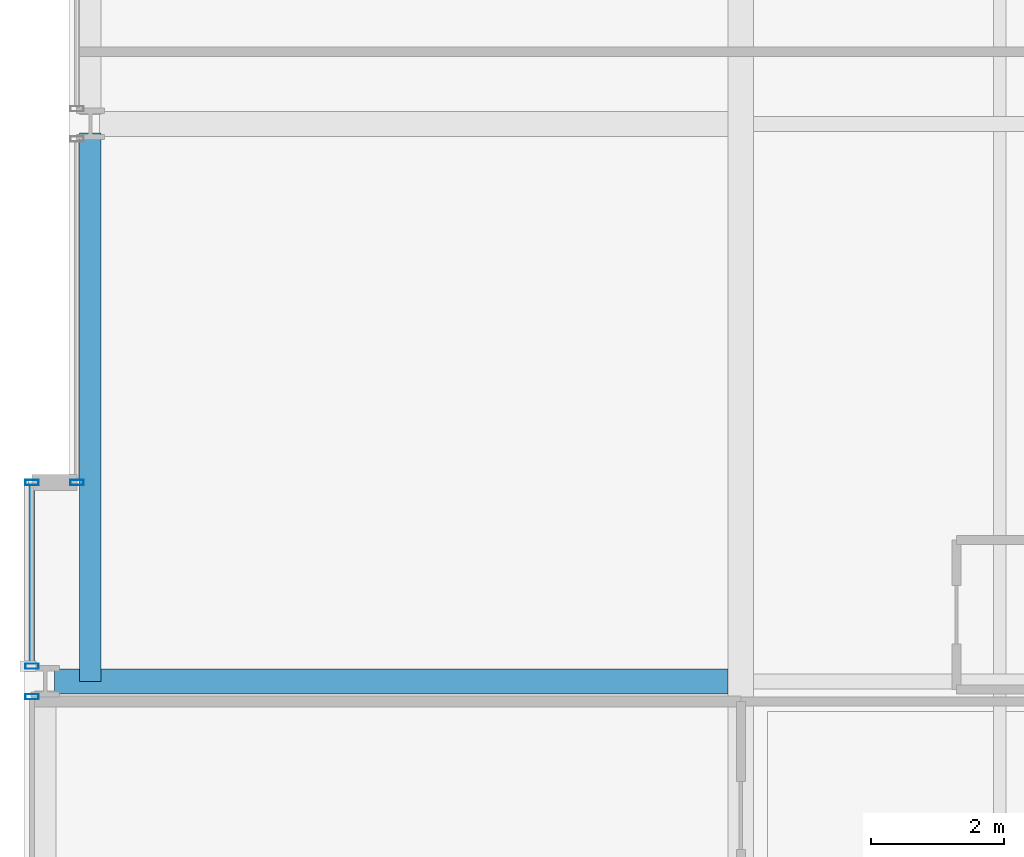
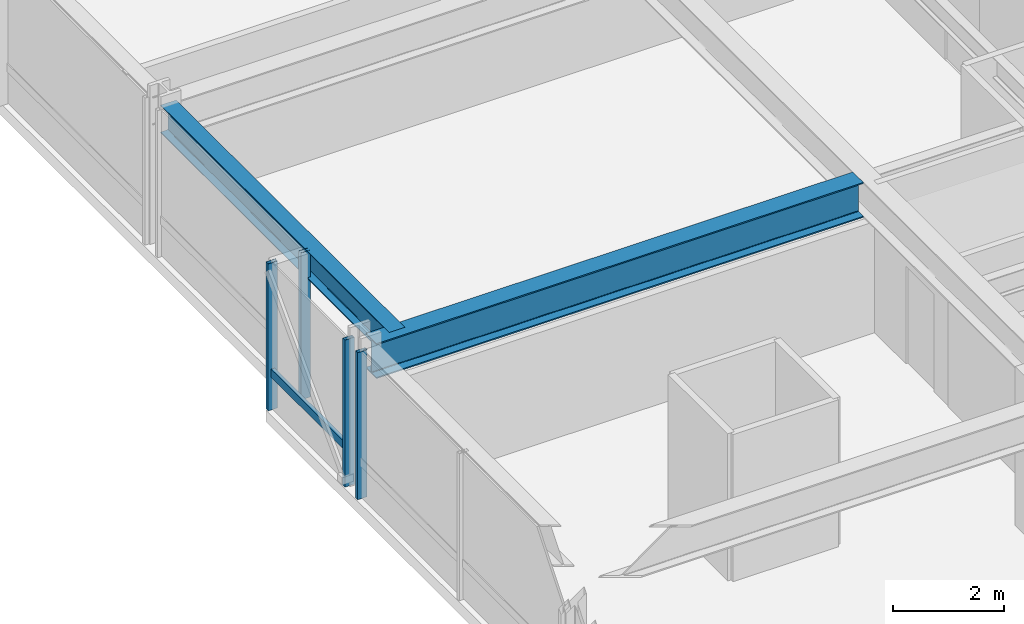
# One storey, part 7 of 38: 5 members, 2 beams, 3 elements without a shape of their own.
"""IFC4 building model written with IfcOpenShell, lengths in metres."""

from ifc_helpers import new_model, si_unit, direction, frame, origin, origin_2d, place, context, subcontext, project, spatial, hollow_rectangle, i_section, extrude, material, layer, layer_set, material_profile, profile_set, type_object, element, aggregate, save


model = new_model("IFC4")

# Units and contexts
model_context = context("Model", 3, precision=1e-05, world=origin(), true_north=direction((0.0, 1.0)))
body_context = subcontext(model_context, "Body", "Model", "MODEL_VIEW")
ifc_project = project(units=[si_unit("LENGTHUNIT", "METRE"), si_unit("AREAUNIT", "SQUARE_METRE"), si_unit("VOLUMEUNIT", "CUBIC_METRE"), si_unit("PLANEANGLEUNIT", "RADIAN"), si_unit("MASSUNIT", "GRAM", prefix="KILO")], contexts=[model_context])

# Site, building, storey
site_placement = place(None, origin())
site = spatial("IfcSite", under=ifc_project, at=site_placement, CompositionType="ELEMENT")
building_placement = place(site_placement, origin())
building = spatial("IfcBuilding", under=site, at=building_placement, Name="Drelvath Grand Hotel", CompositionType="ELEMENT")
storey_placement = place(building_placement, frame((0.0, 0.0, 68.199951171875)))
storey = spatial("IfcBuildingStorey", under=building, at=storey_placement, Name="L16", CompositionType="ELEMENT", Elevation=68.199951171875)

# Curtain wall, member
ifc_material_1 = material(Name="Warm Bronze Anodised Aluminium Frame", Category="aluminium")
ifc_layer = layer(ifc_material_1, 0.199951171875)
ifc_layer_set = layer_set([ifc_layer], Name="Warm Bronze Anodised Aluminium Frame")
curtain_wall_type = type_object("IfcCurtainWallType", Name="Stick Curtain Wall CW-02 Warm Bronze Low-Rise", PredefinedType="NOTDEFINED", material=ifc_layer_set)
curtain_wall_1_placement = place(storey_placement, origin())
curtain_wall_1 = element("IfcCurtainWall", 1, at=curtain_wall_1_placement, inside=storey, type_object=curtain_wall_type, Name="L16 CW-02 Curtain Wall CW02-L16-WS3", PredefinedType="NOTDEFINED")
ifc_material_profile_1 = material_profile(ifc_material_1, hollow_rectangle(XDim=0.074951171875, YDim=0.179931640625, WallThickness=0.0048828125, at=origin_2d()), Name="HSS180X75X5")
ifc_profile_set_1 = profile_set([ifc_material_profile_1], Name="Warm Bronze Anodised Aluminium Frame")
member_type_1 = type_object("IfcMemberType", Name="Curtain Wall Horizontal Transom CW-02 HSS180X75X5", PredefinedType="USERDEFINED", material=ifc_profile_set_1)
member_1_placement = place(storey_placement, frame((-26.8798828125, 18.869140625, 0.81005859375), z_axis=(0.0, 1.0, 0.0), x_axis=(-1.0, 0.0, 0.0)))
member_1 = element("IfcMember", 2, at=member_1_placement, type_object=member_type_1, Name="CW02-L16-WS3 Sill Transom", ObjectType="TRANSOM", PredefinedType="USERDEFINED", context=body_context, shape_type="SweptSolid", body=[
    extrude(hollow_rectangle(XDim=0.074951171875, YDim=0.179931640625, WallThickness=0.0048828125, at=origin_2d()), origin(), (0.0, 0.0, 1.0), 2.69091796875),
])

curtain_wall_2_placement = place(storey_placement, origin())
curtain_wall_2 = element("IfcCurtainWall", 3, at=curtain_wall_2_placement, inside=storey, type_object=curtain_wall_type, Name="L16 CW-02 Curtain Wall CW02-L16-WS2", PredefinedType="NOTDEFINED")
ifc_material_profile_2 = material_profile(ifc_material_1, hollow_rectangle(XDim=0.080078125, YDim=0.199951171875, WallThickness=0.0048828125, at=origin_2d()), Name="HSS200X80X5")
ifc_profile_set_2 = profile_set([ifc_material_profile_2], Name="Warm Bronze Anodised Aluminium Frame")
member_type_2 = type_object("IfcMemberType", Name="Curtain Wall Vertical Mullion CW-02 HSS200X80X5", PredefinedType="MULLION", material=ifc_profile_set_2)
member_2_placement = place(storey_placement, frame((-26.8798828125, 18.370849609375, 0.0), z_axis=(0.0, 0.0, 1.0), x_axis=(0.0, 1.0, 0.0)))
member_2 = element("IfcMember", 4, at=member_2_placement, type_object=member_type_2, Name="CW02-L16-WS2 Mullion 3", PredefinedType="MULLION", context=body_context, shape_type="SweptSolid", body=[
    extrude(hollow_rectangle(XDim=0.080078125, YDim=0.199951171875, WallThickness=0.0048828125, at=origin_2d()), origin(), (0.0, 0.0, 1.0), 3.239990234375),
])
aggregate(curtain_wall_2, [member_2])

# Member
member_3_placement = place(storey_placement, frame((-26.8798828125, 18.8291015625, 0.0), z_axis=(0.0, 0.0, 1.0), x_axis=(0.0, 1.0, 0.0)))
member_3 = element("IfcMember", 5, at=member_3_placement, type_object=member_type_2, Name="CW02-L16-WS3 Mullion 1", PredefinedType="MULLION", context=body_context, shape_type="SweptSolid", body=[
    extrude(hollow_rectangle(XDim=0.080078125, YDim=0.199951171875, WallThickness=0.0048828125, at=origin_2d()), origin(), (0.0, 0.0, 1.0), 3.239990234375),
])

member_4_placement = place(storey_placement, frame((-26.8798828125, 21.60009765625, 0.0), z_axis=(0.0, 0.0, 1.0), x_axis=(0.0, 1.0, 0.0)))
member_4 = element("IfcMember", 6, at=member_4_placement, type_object=member_type_2, Name="CW02-L16-WS3 Mullion 2", PredefinedType="MULLION", context=body_context, shape_type="SweptSolid", body=[
    extrude(hollow_rectangle(XDim=0.080078125, YDim=0.199951171875, WallThickness=0.0048828125, at=origin_2d()), origin(), (0.0, 0.0, 1.0), 3.239990234375),
])

aggregate(curtain_wall_1, [member_3, member_4, member_1])

# Curtain wall, member
curtain_wall_3_placement = place(storey_placement, origin())
curtain_wall_3 = element("IfcCurtainWall", 7, at=curtain_wall_3_placement, inside=storey, type_object=curtain_wall_type, Name="L16 CW-02 Curtain Wall CW02-L16-WM1", PredefinedType="NOTDEFINED")
member_5_placement = place(storey_placement, frame((-26.199951171875, 21.60009765625, 0.0), z_axis=(0.0, 0.0, 1.0), x_axis=(0.0, 1.0, 0.0)))
member_5 = element("IfcMember", 8, at=member_5_placement, type_object=member_type_2, Name="CW02-L16-WM1 Mullion 1", PredefinedType="MULLION", context=body_context, shape_type="SweptSolid", body=[
    extrude(hollow_rectangle(XDim=0.080078125, YDim=0.199951171875, WallThickness=0.0048828125, at=origin_2d()), origin(), (0.0, 0.0, 1.0), 3.239990234375),
])
aggregate(curtain_wall_3, [member_5])

# Beams
ifc_material_2 = material(Name="Steel ASTM A992 Gr 50", Category="steel")
ifc_material_profile_3 = material_profile(ifc_material_2, i_section(OverallWidth=0.323974609375, OverallDepth=0.611083984375, WebThickness=0.0126953125, FlangeThickness=0.01904296875, FilletRadius=0.02197265625, at=origin_2d()), Name="W24X104")
ifc_profile_set_3 = profile_set([ifc_material_profile_3], Name="Steel ASTM A992 Gr 50")
beam_type_1 = type_object("IfcBeamType", Name="Perimeter Spandrel Beam W24X104", PredefinedType="SPANDREL", material=ifc_profile_set_3)
beam_1_placement = place(storey_placement, frame((-26.0, 18.60009765625, 2.9345703125), z_axis=(0.0, 1.0, 0.0), x_axis=(-1.0, 0.0, 0.0)))
element("IfcBeam", 9, at=beam_1_placement, inside=storey, type_object=beam_type_1, Name="L16 Spandrel West Mid S", PredefinedType="SPANDREL", context=body_context, shape_type="SweptSolid", body=[
    extrude(i_section(OverallWidth=0.323974609375, OverallDepth=0.611083984375, WebThickness=0.0126953125, FlangeThickness=0.01904296875, FilletRadius=0.02197265625, at=origin_2d()), origin(), (0.0, 0.0, 1.0), 8.260009765625),
])
ifc_material_profile_4 = material_profile(ifc_material_2, i_section(OverallWidth=0.380615234375, OverallDepth=0.773193359375, WebThickness=0.0166015625, FlangeThickness=0.027099609375, FilletRadius=0.02490234375, at=origin_2d()), Name="W30X173")
ifc_profile_set_4 = profile_set([ifc_material_profile_4], Name="Steel ASTM A992 Gr 50")
beam_type_2 = type_object("IfcBeamType", Name="Primary Floor Girder W30X173", PredefinedType="BEAM", material=ifc_profile_set_4)
beam_2_placement = place(storey_placement, frame((-26.5400390625, 18.60009765625, 2.853515625), z_axis=(1.0, 0.0, 0.0), x_axis=(0.0, 1.0, 0.0)))
element("IfcBeam", 10, at=beam_2_placement, inside=storey, type_object=beam_type_2, Name="L16 West Wing Girder D", PredefinedType="BEAM", context=body_context, shape_type="SweptSolid", body=[
    extrude(i_section(OverallWidth=0.380615234375, OverallDepth=0.773193359375, WebThickness=0.0166015625, FlangeThickness=0.027099609375, FilletRadius=0.02490234375, at=origin_2d()), origin(), (0.0, 0.0, 1.0), 10.149658203125),
])

save(model, "model.ifc")
